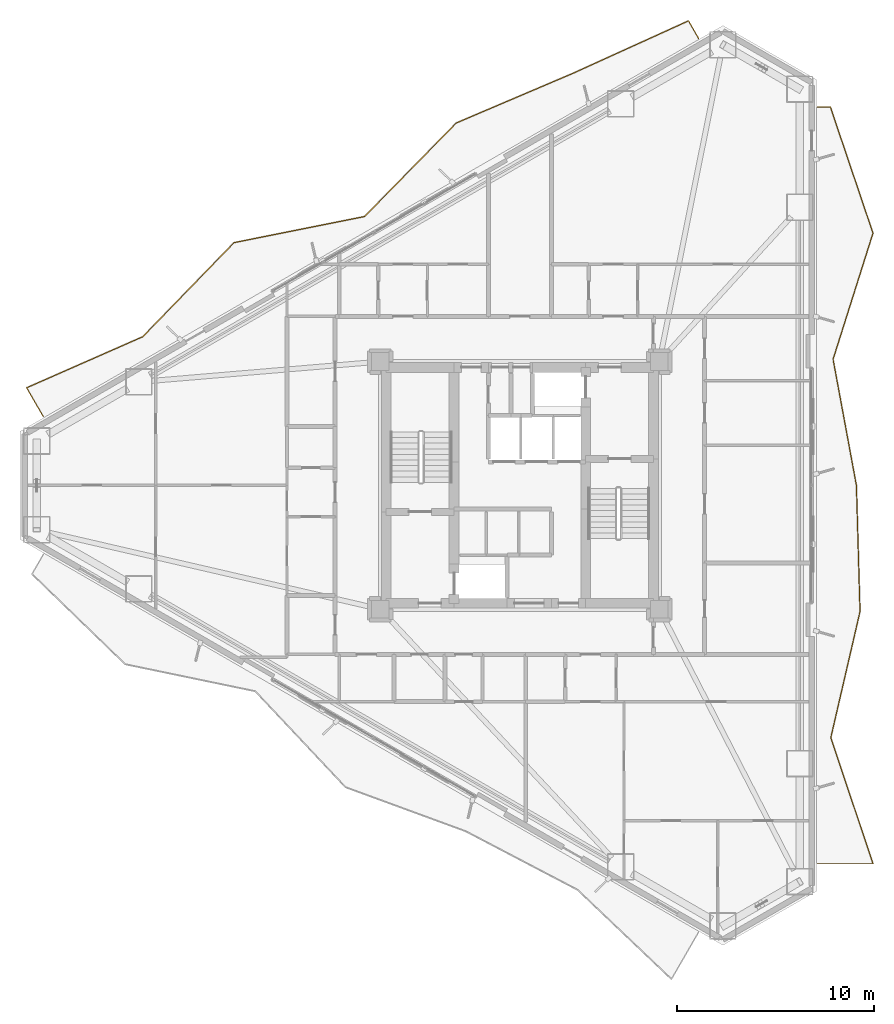
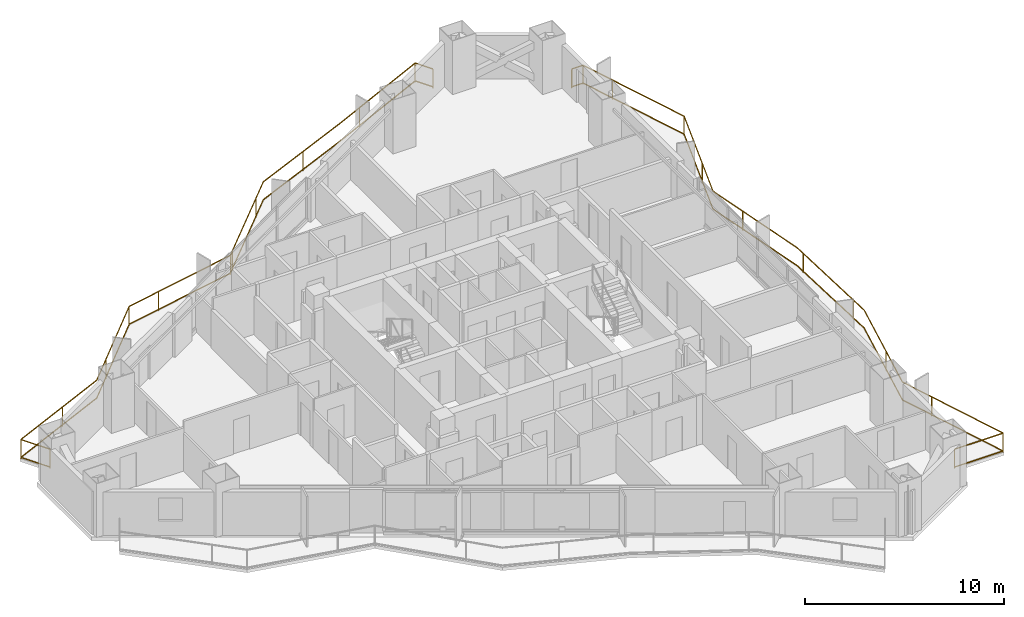
# One storey, part 19 of 19: 2 railings.
"""IFC4 building model written with IfcOpenShell, lengths in metres."""

from ifc_helpers import new_model, si_unit, direction, frame, origin, origin_2d, place, context, subcontext, project, spatial, rectangle, extrude, material, type_object, element, save


model = new_model("IFC4")

# Units and contexts
model_context = context("Model", 3, precision=1e-05, world=origin(), true_north=direction((0.0, 1.0)))
body_context = subcontext(model_context, "Body", "Model", "MODEL_VIEW")
ifc_project = project(units=[si_unit("LENGTHUNIT", "METRE"), si_unit("AREAUNIT", "SQUARE_METRE"), si_unit("VOLUMEUNIT", "CUBIC_METRE"), si_unit("PLANEANGLEUNIT", "RADIAN"), si_unit("MASSUNIT", "GRAM", prefix="KILO")], contexts=[model_context])

# Site, building, storey
site_placement = place(None, origin())
site = spatial("IfcSite", under=ifc_project, at=site_placement, CompositionType="ELEMENT")
building_placement = place(site_placement, origin())
building = spatial("IfcBuilding", under=site, at=building_placement, Name="Mersakhor Tower and Convention Hall", CompositionType="ELEMENT")
storey_placement = place(building_placement, frame((0.0, 0.0, 45.60009765625)))
storey = spatial("IfcBuildingStorey", under=building, at=storey_placement, Name="L12", CompositionType="ELEMENT", Elevation=45.60009765625)

# Railings
ifc_material = material(Name="Powder-coated galvanised steel and laminated glass balustrade", Category="steel")
railing_type = type_object("IfcRailingType", Name="RL-BAL-1200", PredefinedType="BALUSTRADE", material=ifc_material)
railing_1_placement = place(storey_placement, frame((38.099609375, 49.497314453125, 0.0)))
element("IfcRailing", 1, at=railing_1_placement, inside=storey, type_object=railing_type, Name="L12 Sinusoidal Balcony Balustrade F1", PredefinedType="BALUSTRADE", context=body_context, shape_type="SweptSolid", body=[
    extrude(rectangle(XDim=0.048095703125, YDim=0.048095703125, at=origin_2d()), frame((0.0, 0.0, 1.17578125), z_axis=(-0.5001118933, 0.865960792519, 0.0), x_axis=(-0.865960792519, -0.5001118933, 0.0)), (0.0, 0.0, 1.0), 1.031005859375),
    extrude(rectangle(XDim=0.048095703125, YDim=0.048095703125, at=origin_2d()), frame((0.0, 0.0, 0.080078125), z_axis=(-0.5001118933, 0.865960792519, 0.0), x_axis=(-0.865960792519, -0.5001118933, 0.0)), (0.0, 0.0, 1.0), 1.031005859375),
    extrude(rectangle(XDim=0.048095703125, YDim=0.048095703125, at=origin_2d()), frame((-0.515625, 0.892822265625, 1.17578125), z_axis=(-0.910485723337, -0.413540502973, 0.0), x_axis=(0.413540502973, -0.910485723337, 0.0)), (0.0, 0.0, 1.0), 6.448486328125),
    extrude(rectangle(XDim=0.048095703125, YDim=0.048095703125, at=origin_2d()), frame((-0.515625, 0.892822265625, 0.080078125), z_axis=(-0.910485723337, -0.413540502973, 0.0), x_axis=(0.413540502973, -0.910485723337, 0.0)), (0.0, 0.0, 1.0), 6.448486328125),
    extrude(rectangle(XDim=0.048095703125, YDim=0.048095703125, at=origin_2d()), frame((-6.386962890625, -1.77392578125, 1.17578125), z_axis=(-0.920107155072, -0.391666724633, 0.0), x_axis=(0.391666724633, -0.920107155072, 0.0)), (0.0, 0.0, 1.0), 6.46533203125),
    extrude(rectangle(XDim=0.048095703125, YDim=0.048095703125, at=origin_2d()), frame((-6.386962890625, -1.77392578125, 0.080078125), z_axis=(-0.920107155072, -0.391666724633, 0.0), x_axis=(0.391666724633, -0.920107155072, 0.0)), (0.0, 0.0, 1.0), 6.46533203125),
    extrude(rectangle(XDim=0.048095703125, YDim=0.048095703125, at=origin_2d()), frame((-12.335693359375, -4.30615234375, 1.17578125), z_axis=(-0.699999233966, -0.714143593717, 0.0), x_axis=(0.714143593717, -0.699999233966, 0.0)), (0.0, 0.0, 1.0), 6.66259765625),
    extrude(rectangle(XDim=0.048095703125, YDim=0.048095703125, at=origin_2d()), frame((-12.335693359375, -4.30615234375, 0.080078125), z_axis=(-0.699999233966, -0.714143593717, 0.0), x_axis=(0.714143593717, -0.699999233966, 0.0)), (0.0, 0.0, 1.0), 6.66259765625),
    extrude(rectangle(XDim=0.048095703125, YDim=0.048095703125, at=origin_2d()), frame((-16.99951171875, -9.064208984375, 1.17578125), z_axis=(-0.980554333422, -0.196247800515, 0.0), x_axis=(0.196247800515, -0.980554333422, 0.0)), (0.0, 0.0, 1.0), 6.775146484375),
    extrude(rectangle(XDim=0.048095703125, YDim=0.048095703125, at=origin_2d()), frame((-16.99951171875, -9.064208984375, 0.080078125), z_axis=(-0.980554333422, -0.196247800515, 0.0), x_axis=(0.196247800515, -0.980554333422, 0.0)), (0.0, 0.0, 1.0), 6.775146484375),
    extrude(rectangle(XDim=0.048095703125, YDim=0.048095703125, at=origin_2d()), frame((-23.642822265625, -10.393798828125, 1.17578125), z_axis=(-0.696322967698, -0.717728587041, 0.0), x_axis=(0.717728587041, -0.696322967698, 0.0)), (0.0, 0.0, 1.0), 6.672119140625),
    extrude(rectangle(XDim=0.048095703125, YDim=0.048095703125, at=origin_2d()), frame((-23.642822265625, -10.393798828125, 0.080078125), z_axis=(-0.696322967698, -0.717728587041, 0.0), x_axis=(0.717728587041, -0.696322967698, 0.0)), (0.0, 0.0, 1.0), 6.672119140625),
    extrude(rectangle(XDim=0.048095703125, YDim=0.048095703125, at=origin_2d()), frame((-28.288818359375, -15.1826171875, 1.17578125), z_axis=(-0.915398088509, -0.402549797607, 0.0), x_axis=(0.402549797607, -0.915398088509, 0.0)), (0.0, 0.0, 1.0), 6.45654296875),
    extrude(rectangle(XDim=0.048095703125, YDim=0.048095703125, at=origin_2d()), frame((-28.288818359375, -15.1826171875, 0.080078125), z_axis=(-0.915398088509, -0.402549797607, 0.0), x_axis=(0.402549797607, -0.915398088509, 0.0)), (0.0, 0.0, 1.0), 6.45654296875),
    extrude(rectangle(XDim=0.048095703125, YDim=0.048095703125, at=origin_2d()), frame((-34.19921875, -17.78173828125, 1.17578125), z_axis=(0.500062241894, -0.865989465428, 0.0), x_axis=(0.865989465428, 0.500062241894, 0.0)), (0.0, 0.0, 1.0), 1.699951171875),
    extrude(rectangle(XDim=0.048095703125, YDim=0.048095703125, at=origin_2d()), frame((-34.19921875, -17.78173828125, 0.080078125), z_axis=(0.500062241894, -0.865989465428, 0.0), x_axis=(0.865989465428, 0.500062241894, 0.0)), (0.0, 0.0, 1.0), 1.699951171875),
    extrude(rectangle(XDim=0.0419921875, YDim=0.0419921875, at=origin_2d()), origin(), (0.0, 0.0, 1.0), 1.15185546875),
    extrude(rectangle(XDim=0.0419921875, YDim=0.0419921875, at=origin_2d()), frame((-0.515625, 0.892822265625, 0.0)), (0.0, 0.0, 1.0), 1.15185546875),
    extrude(rectangle(XDim=0.0419921875, YDim=0.0419921875, at=origin_2d()), frame((-4.885986328125, -1.09228515625, 0.0)), (0.0, 0.0, 1.0), 1.15185546875),
    extrude(rectangle(XDim=0.0419921875, YDim=0.0419921875, at=origin_2d()), frame((-9.28662109375, -3.00830078125, 0.0)), (0.0, 0.0, 1.0), 1.15185546875),
    extrude(rectangle(XDim=0.0419921875, YDim=0.0419921875, at=origin_2d()), frame((-13.3759765625, -5.367431640625, 0.0)), (0.0, 0.0, 1.0), 1.15185546875),
    extrude(rectangle(XDim=0.0419921875, YDim=0.0419921875, at=origin_2d()), frame((-16.736083984375, -8.79541015625, 0.0)), (0.0, 0.0, 1.0), 1.15185546875),
    extrude(rectangle(XDim=0.0419921875, YDim=0.0419921875, at=origin_2d()), frame((-16.99951171875, -9.064208984375, 0.0)), (0.0, 0.0, 1.0), 1.15185546875),
    extrude(rectangle(XDim=0.0419921875, YDim=0.0419921875, at=origin_2d()), frame((-21.7060546875, -10.006103515625, 0.0)), (0.0, 0.0, 1.0), 1.15185546875),
    extrude(rectangle(XDim=0.0419921875, YDim=0.0419921875, at=origin_2d()), frame((-23.642822265625, -10.393798828125, 0.0)), (0.0, 0.0, 1.0), 1.15185546875),
    extrude(rectangle(XDim=0.0419921875, YDim=0.0419921875, at=origin_2d()), frame((-26.985107421875, -13.8388671875, 0.0)), (0.0, 0.0, 1.0), 1.15185546875),
    extrude(rectangle(XDim=0.0419921875, YDim=0.0419921875, at=origin_2d()), frame((-30.968994140625, -16.361328125, 0.0)), (0.0, 0.0, 1.0), 1.15185546875),
    extrude(rectangle(XDim=0.0419921875, YDim=0.0419921875, at=origin_2d()), frame((-34.19921875, -17.78173828125, 0.0)), (0.0, 0.0, 1.0), 1.15185546875),
    extrude(rectangle(XDim=0.0419921875, YDim=0.0419921875, at=origin_2d()), frame((-33.34912109375, -19.25390625, 0.0)), (0.0, 0.0, 1.0), 1.15185546875),
])
railing_2_placement = place(storey_placement, frame((44.14990234375, 7.49609375, 0.0)))
element("IfcRailing", 2, at=railing_2_placement, inside=storey, type_object=railing_type, Name="L12 Sinusoidal Balcony Balustrade F2", PredefinedType="BALUSTRADE", context=body_context, shape_type="SweptSolid", body=[
    extrude(rectangle(XDim=0.048095703125, YDim=0.048095703125, at=origin_2d()), frame((0.0, 0.0, 1.17578125), z_axis=(1.0, 0.0, 0.0), x_axis=(0.0, 1.0, 0.0)), (0.0, 0.0, 1.0), 2.820068359375),
    extrude(rectangle(XDim=0.048095703125, YDim=0.048095703125, at=origin_2d()), frame((0.0, 0.0, 0.080078125), z_axis=(1.0, 0.0, 0.0), x_axis=(0.0, 1.0, 0.0)), (0.0, 0.0, 1.0), 2.820068359375),
    extrude(rectangle(XDim=0.048095703125, YDim=0.048095703125, at=origin_2d()), frame((2.820068359375, 0.0, 1.17578125), z_axis=(-0.317082667643, 0.948397902718, 0.0), x_axis=(-0.948397902718, -0.317082667643, 0.0)), (0.0, 0.0, 1.0), 6.76708984375),
    extrude(rectangle(XDim=0.048095703125, YDim=0.048095703125, at=origin_2d()), frame((2.820068359375, 0.0, 0.080078125), z_axis=(-0.317082667643, 0.948397902718, 0.0), x_axis=(-0.948397902718, -0.317082667643, 0.0)), (0.0, 0.0, 1.0), 6.76708984375),
    extrude(rectangle(XDim=0.048095703125, YDim=0.048095703125, at=origin_2d()), frame((0.67431640625, 6.41796875, 1.17578125), z_axis=(0.225652453902, 0.974207867987, 0.0), x_axis=(-0.974207867987, 0.225652453902, 0.0)), (0.0, 0.0, 1.0), 6.587890625),
    extrude(rectangle(XDim=0.048095703125, YDim=0.048095703125, at=origin_2d()), frame((0.67431640625, 6.41796875, 0.080078125), z_axis=(0.225652453902, 0.974207867987, 0.0), x_axis=(-0.974207867987, 0.225652453902, 0.0)), (0.0, 0.0, 1.0), 6.587890625),
    extrude(rectangle(XDim=0.048095703125, YDim=0.048095703125, at=origin_2d()), frame((2.160888671875, 12.8359375, 1.17578125), z_axis=(-0.028670497689, 0.999588916786, 0.0), x_axis=(-0.999588916786, -0.028670497689, 0.0)), (0.0, 0.0, 1.0), 6.420654296875),
    extrude(rectangle(XDim=0.048095703125, YDim=0.048095703125, at=origin_2d()), frame((2.160888671875, 12.8359375, 0.080078125), z_axis=(-0.028670497689, 0.999588916786, 0.0), x_axis=(-0.999588916786, -0.028670497689, 0.0)), (0.0, 0.0, 1.0), 6.420654296875),
    extrude(rectangle(XDim=0.048095703125, YDim=0.048095703125, at=origin_2d()), frame((1.976806640625, 19.25390625, 1.17578125), z_axis=(-0.181903072649, 0.983316465926, 0.0), x_axis=(-0.983316465926, -0.181903072649, 0.0)), (0.0, 0.0, 1.0), 6.52685546875),
    extrude(rectangle(XDim=0.048095703125, YDim=0.048095703125, at=origin_2d()), frame((1.976806640625, 19.25390625, 0.080078125), z_axis=(-0.181903072649, 0.983316465926, 0.0), x_axis=(-0.983316465926, -0.181903072649, 0.0)), (0.0, 0.0, 1.0), 6.52685546875),
    extrude(rectangle(XDim=0.048095703125, YDim=0.048095703125, at=origin_2d()), frame((0.78955078125, 25.671875, 1.17578125), z_axis=(0.301643374321, 0.953420827719, 0.0), x_axis=(-0.953420827719, 0.301643374321, 0.0)), (0.0, 0.0, 1.0), 6.7314453125),
    extrude(rectangle(XDim=0.048095703125, YDim=0.048095703125, at=origin_2d()), frame((0.78955078125, 25.671875, 0.080078125), z_axis=(0.301643374321, 0.953420827719, 0.0), x_axis=(-0.953420827719, 0.301643374321, 0.0)), (0.0, 0.0, 1.0), 6.7314453125),
    extrude(rectangle(XDim=0.048095703125, YDim=0.048095703125, at=origin_2d()), frame((2.820068359375, 32.08984375, 1.17578125), z_axis=(-0.320030995442, 0.947407072993, 0.0), x_axis=(-0.947407072993, -0.320030995442, 0.0)), (0.0, 0.0, 1.0), 6.774169921875),
    extrude(rectangle(XDim=0.048095703125, YDim=0.048095703125, at=origin_2d()), frame((2.820068359375, 32.08984375, 0.080078125), z_axis=(-0.320030995442, 0.947407072993, 0.0), x_axis=(-0.947407072993, -0.320030995442, 0.0)), (0.0, 0.0, 1.0), 6.774169921875),
    extrude(rectangle(XDim=0.048095703125, YDim=0.048095703125, at=origin_2d()), frame((0.652099609375, 38.5078125, 1.17578125), z_axis=(-1.0, 0.0, 0.0), x_axis=(0.0, -1.0, 0.0)), (0.0, 0.0, 1.0), 0.652099609375),
    extrude(rectangle(XDim=0.048095703125, YDim=0.048095703125, at=origin_2d()), frame((0.652099609375, 38.5078125, 0.080078125), z_axis=(-1.0, 0.0, 0.0), x_axis=(0.0, -1.0, 0.0)), (0.0, 0.0, 1.0), 0.652099609375),
    extrude(rectangle(XDim=0.0419921875, YDim=0.0419921875, at=origin_2d()), origin(), (0.0, 0.0, 1.0), 1.15185546875),
    extrude(rectangle(XDim=0.0419921875, YDim=0.0419921875, at=origin_2d()), frame((2.820068359375, 0.0, 0.0)), (0.0, 0.0, 1.0), 1.15185546875),
    extrude(rectangle(XDim=0.0419921875, YDim=0.0419921875, at=origin_2d()), frame((1.298095703125, 4.55224609375, 0.0)), (0.0, 0.0, 1.0), 1.15185546875),
    extrude(rectangle(XDim=0.0419921875, YDim=0.0419921875, at=origin_2d()), frame((1.3134765625, 9.177734375, 0.0)), (0.0, 0.0, 1.0), 1.15185546875),
    extrude(rectangle(XDim=0.0419921875, YDim=0.0419921875, at=origin_2d()), frame((2.130859375, 13.88037109375, 0.0)), (0.0, 0.0, 1.0), 1.15185546875),
    extrude(rectangle(XDim=0.0419921875, YDim=0.0419921875, at=origin_2d()), frame((1.993408203125, 18.678466796875, 0.0)), (0.0, 0.0, 1.0), 1.15185546875),
    extrude(rectangle(XDim=0.0419921875, YDim=0.0419921875, at=origin_2d()), frame((1.20849609375, 23.40771484375, 0.0)), (0.0, 0.0, 1.0), 1.15185546875),
    extrude(rectangle(XDim=0.0419921875, YDim=0.0419921875, at=origin_2d()), frame((1.54296875, 28.052978515625, 0.0)), (0.0, 0.0, 1.0), 1.15185546875),
    extrude(rectangle(XDim=0.0419921875, YDim=0.0419921875, at=origin_2d()), frame((2.820068359375, 32.08984375, 0.0)), (0.0, 0.0, 1.0), 1.15185546875),
    extrude(rectangle(XDim=0.0419921875, YDim=0.0419921875, at=origin_2d()), frame((1.283935546875, 36.637451171875, 0.0)), (0.0, 0.0, 1.0), 1.15185546875),
    extrude(rectangle(XDim=0.0419921875, YDim=0.0419921875, at=origin_2d()), frame((0.652099609375, 38.5078125, 0.0)), (0.0, 0.0, 1.0), 1.15185546875),
    extrude(rectangle(XDim=0.0419921875, YDim=0.0419921875, at=origin_2d()), frame((0.0, 38.5078125, 0.0)), (0.0, 0.0, 1.0), 1.15185546875),
])

save(model, "model.ifc")
